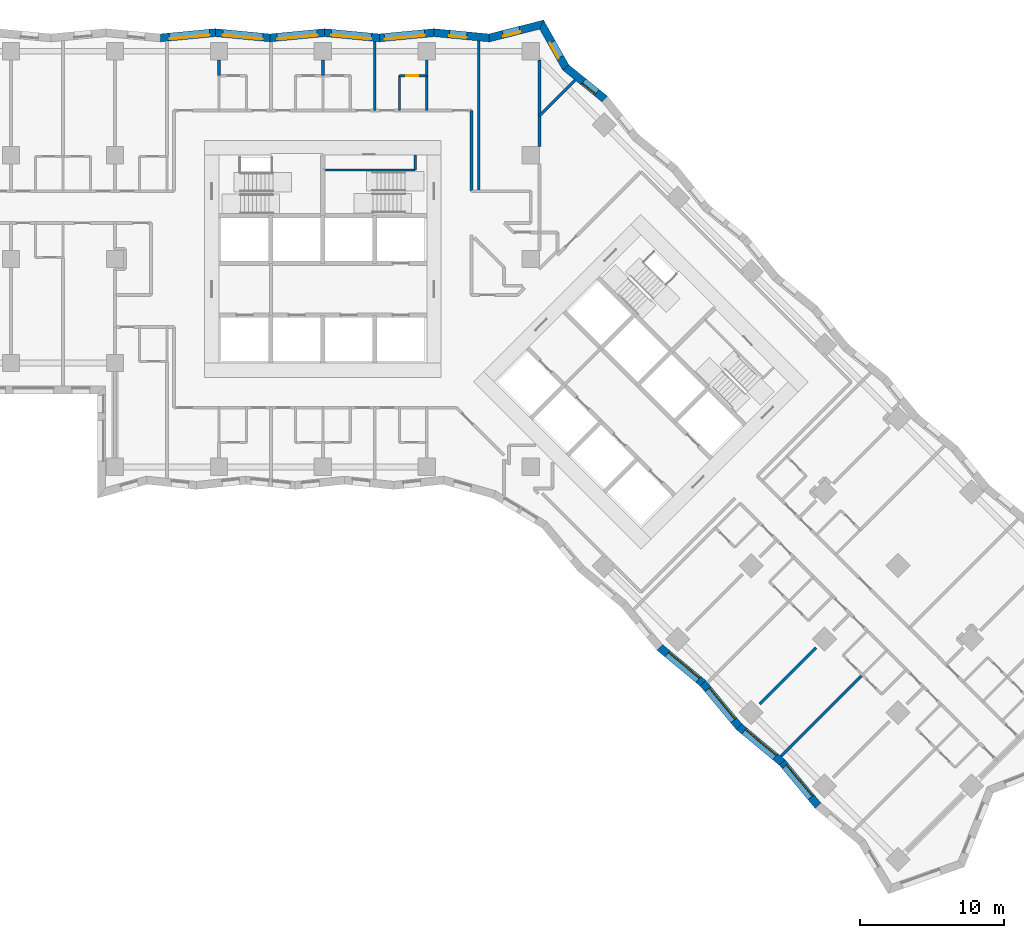
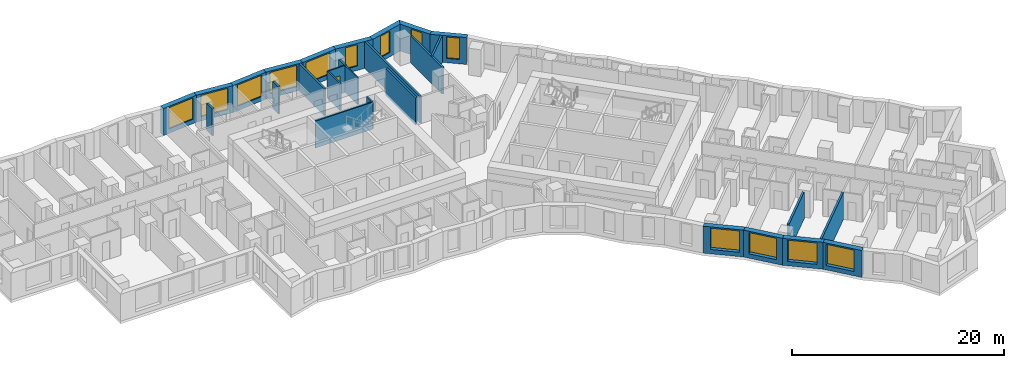
# One storey, part 7 of 13: 28 walls, 13 windows, 1 door, 14 openings.
"""IFC4 building model written with IfcOpenShell, lengths in metres."""

from ifc_helpers import new_model, si_unit, direction, frame, frame_2d, origin, place, context, subcontext, project, spatial, polyline, rectangle, outline, extrude, material, layer, layer_set, type_object, element, fill, save


model = new_model("IFC4")

# Units and contexts
model_context = context("Model", 3, precision=1e-05, world=origin(), true_north=direction((0.0, 1.0)))
body_context = subcontext(model_context, "Body", "Model", "MODEL_VIEW")
ifc_project = project(units=[si_unit("LENGTHUNIT", "METRE"), si_unit("AREAUNIT", "SQUARE_METRE"), si_unit("VOLUMEUNIT", "CUBIC_METRE"), si_unit("PLANEANGLEUNIT", "RADIAN"), si_unit("MASSUNIT", "GRAM", prefix="KILO")], contexts=[model_context])

# Site, building, storey
site_placement = place(None, origin())
site = spatial("IfcSite", under=ifc_project, at=site_placement, CompositionType="ELEMENT")
building_placement = place(site_placement, origin())
building = spatial("IfcBuilding", under=site, at=building_placement, Name="Windrow Commons", CompositionType="ELEMENT")
storey_placement = place(building_placement, frame((0.0, 0.0, 33.8)))
storey = spatial("IfcBuildingStorey", under=building, at=storey_placement, Name="L08", CompositionType="ELEMENT", Elevation=33.8)

# Wall, opening, window
ifc_material_1 = material(Name="Brick masonry, red clay brick", Category="masonry")
ifc_layer_1 = layer(ifc_material_1, 0.55)
ifc_layer_set_1 = layer_set([ifc_layer_1], Name="Brick facade wall 550")
wall_type_1 = type_object("IfcWallType", Name="Brick facade wall 550", PredefinedType="SOLIDWALL", material=ifc_layer_set_1)
wall_1_placement = place(storey_placement, frame((84.3274, 68.6891, 0.0), z_axis=(0.0, 0.0, 1.0), x_axis=(-0.7772012902, 0.6292520596, 0.0)))
wall_1 = element("IfcWall", 1, at=wall_1_placement, inside=storey, type_object=wall_type_1, Name="Brick facade wall L08 21", PredefinedType="SOLIDWALL", context=body_context, shape_type="SweptSolid", body=[
    extrude(outline(polyline([(-0.0289, -0.275), (3.4209, -0.275), (3.5261, 0.275), (0.0289, 0.275), (-0.0289, -0.275)])), origin(), (0.0, 0.0, 1.0), 3.1),
])
opening_1_placement = place(wall_1_placement, frame((0.7044, 0.0, 0.5)))
opening_1 = element("IfcOpeningElement", 2, at=opening_1_placement, cuts=wall_1, Name="Opening W7D", PredefinedType="OPENING", context=body_context, shape_type="SweptSolid", body=[
    extrude(rectangle(XDim=1.2, YDim=2.45, at=frame_2d((0.6, 1.225))), frame((0.0, 0.285, 0.0), z_axis=(0.0, -1.0, 0.0), x_axis=(1.0, 0.0, 0.0)), (0.0, 0.0, 1.0), 0.57),
])
ifc_material_2 = material(Name="Clear float glass in anodised aluminium frame", Category="aluminium")
window_type_1 = type_object("IfcWindowType", Name="Window W7 notch 1200x2450", PartitioningType="SINGLE_PANEL", PredefinedType="WINDOW", material=ifc_material_2)
window_1_placement = place(opening_1_placement, origin())
window_1 = element("IfcWindow", 3, at=window_1_placement, inside=storey, type_object=window_type_1, Name="Window L08 21.1", OverallHeight=2.45, OverallWidth=1.2, PartitioningType="SINGLE_PANEL", PredefinedType="WINDOW", context=body_context, shape_type="SweptSolid", body=[
    extrude(rectangle(XDim=1.2, YDim=2.45, at=frame_2d((0.6, 1.225))), frame((0.0, 0.155, 0.0), z_axis=(0.0, -1.0, 0.0), x_axis=(1.0, 0.0, 0.0)), (0.0, 0.0, 1.0), 0.06),
])
fill(opening_1, window_1)

wall_2_placement = place(storey_placement, frame((81.6278, 70.8748, 0.0), z_axis=(0.0, 0.0, 1.0), x_axis=(-0.4901845493, 0.871618671, 0.0)))
wall_2 = element("IfcWall", 4, at=wall_2_placement, inside=storey, type_object=wall_type_1, Name="Brick facade wall L08 22", PredefinedType="SOLIDWALL", context=body_context, shape_type="SweptSolid", body=[
    extrude(outline(polyline([(0.0526, -0.275), (3.6156, -0.275), (3.1945, 0.275), (-0.0526, 0.275), (0.0526, -0.275)])), origin(), (0.0, 0.0, 1.0), 3.1),
])
opening_2_placement = place(wall_2_placement, frame((0.8045, 0.0, 0.5)))
opening_2 = element("IfcOpeningElement", 5, at=opening_2_placement, cuts=wall_2, Name="Opening W7D", PredefinedType="OPENING", context=body_context, shape_type="SweptSolid", body=[
    extrude(rectangle(XDim=1.2, YDim=2.45, at=frame_2d((0.6, 1.225))), frame((0.0, 0.285, 0.0), z_axis=(0.0, -1.0, 0.0), x_axis=(1.0, 0.0, 0.0)), (0.0, 0.0, 1.0), 0.57),
])
window_2_placement = place(opening_2_placement, origin())
window_2 = element("IfcWindow", 6, at=window_2_placement, inside=storey, type_object=window_type_1, Name="Window L08 22.1", OverallHeight=2.45, OverallWidth=1.2, PartitioningType="SINGLE_PANEL", PredefinedType="WINDOW", context=body_context, shape_type="SweptSolid", body=[
    extrude(rectangle(XDim=1.2, YDim=2.45, at=frame_2d((0.6, 1.225))), frame((0.0, 0.155, 0.0), z_axis=(0.0, -1.0, 0.0), x_axis=(1.0, 0.0, 0.0)), (0.0, 0.0, 1.0), 0.06),
])
fill(opening_2, window_2)

wall_3_placement = place(storey_placement, frame((79.9587, 73.8427, 0.0), z_axis=(0.0, 0.0, 1.0), x_axis=(-0.9693399956, -0.2457233667, 0.0)))
wall_3 = element("IfcWall", 7, at=wall_3_placement, inside=storey, type_object=wall_type_1, Name="Brick facade wall L08 23", PredefinedType="SOLIDWALL", context=body_context, shape_type="SweptSolid", body=[
    extrude(outline(polyline([(-0.2105, -0.275), (3.7004, -0.275), (3.7957, 0.275), (0.2105, 0.275), (-0.2105, -0.275)])), origin(), (0.0, 0.0, 1.0), 3.1),
])
opening_3_placement = place(wall_3_placement, frame((1.5654, 0.0, 0.5)))
opening_3 = element("IfcOpeningElement", 8, at=opening_3_placement, cuts=wall_3, Name="Opening W7D", PredefinedType="OPENING", context=body_context, shape_type="SweptSolid", body=[
    extrude(rectangle(XDim=1.2, YDim=2.45, at=frame_2d((0.6, 1.225))), frame((0.0, 0.285, 0.0), z_axis=(0.0, -1.0, 0.0), x_axis=(1.0, 0.0, 0.0)), (0.0, 0.0, 1.0), 0.57),
])
window_3_placement = place(opening_3_placement, origin())
window_3 = element("IfcWindow", 9, at=window_3_placement, inside=storey, type_object=window_type_1, Name="Window L08 23.1", OverallHeight=2.45, OverallWidth=1.2, PartitioningType="SINGLE_PANEL", PredefinedType="WINDOW", context=body_context, shape_type="SweptSolid", body=[
    extrude(rectangle(XDim=1.2, YDim=2.45, at=frame_2d((0.6, 1.225))), frame((0.0, 0.155, 0.0), z_axis=(0.0, -1.0, 0.0), x_axis=(1.0, 0.0, 0.0)), (0.0, 0.0, 1.0), 0.06),
])
fill(opening_3, window_3)

wall_4_placement = place(storey_placement, frame((76.3255, 72.9217, 0.0), z_axis=(0.0, 0.0, 1.0), x_axis=(-0.9954951205, 0.0948127894, 0.0)))
wall_4 = element("IfcWall", 10, at=wall_4_placement, inside=storey, type_object=wall_type_1, Name="Brick facade wall L08 24", PredefinedType="SOLIDWALL", context=body_context, shape_type="SweptSolid", body=[
    extrude(outline(polyline([(0.0477, -0.275), (3.8558, -0.275), (3.8034, 0.275), (-0.0477, 0.275), (0.0477, -0.275)])), origin(), (0.0, 0.0, 1.0), 3.1),
])
opening_4_placement = place(wall_4_placement, frame((1.5661, 0.0, 0.5)))
opening_4 = element("IfcOpeningElement", 11, at=opening_4_placement, cuts=wall_4, Name="Opening W7D", PredefinedType="OPENING", context=body_context, shape_type="SweptSolid", body=[
    extrude(rectangle(XDim=1.2, YDim=2.45, at=frame_2d((0.6, 1.225))), frame((0.0, 0.285, 0.0), z_axis=(0.0, -1.0, 0.0), x_axis=(1.0, 0.0, 0.0)), (0.0, 0.0, 1.0), 0.57),
])
window_4_placement = place(opening_4_placement, origin())
window_4 = element("IfcWindow", 12, at=window_4_placement, inside=storey, type_object=window_type_1, Name="Window L08 24.1", OverallHeight=2.45, OverallWidth=1.2, PartitioningType="SINGLE_PANEL", PredefinedType="WINDOW", context=body_context, shape_type="SweptSolid", body=[
    extrude(rectangle(XDim=1.2, YDim=2.45, at=frame_2d((0.6, 1.225))), frame((0.0, 0.155, 0.0), z_axis=(0.0, -1.0, 0.0), x_axis=(1.0, 0.0, 0.0)), (0.0, 0.0, 1.0), 0.06),
])
fill(opening_4, window_4)

wall_5_placement = place(storey_placement, frame((72.5131, 73.2848, 0.0), z_axis=(0.0, 0.0, 1.0), x_axis=(-0.9954966527, -0.0947967005, 0.0)))
wall_5 = element("IfcWall", 13, at=wall_5_placement, inside=storey, type_object=wall_type_1, Name="Brick facade wall L08 25", PredefinedType="SOLIDWALL", context=body_context, shape_type="SweptSolid", body=[
    extrude(outline(polyline([(-0.0262, -0.275), (3.782, -0.275), (3.8343, 0.275), (0.0262, 0.275), (-0.0262, -0.275)])), origin(), (0.0, 0.0, 1.0), 3.1),
])
opening_5_placement = place(wall_5_placement, frame((0.6618, 0.0, 0.5)))
opening_5 = element("IfcOpeningElement", 14, at=opening_5_placement, cuts=wall_5, Name="Opening W1T", PredefinedType="OPENING", context=body_context, shape_type="SweptSolid", body=[
    extrude(rectangle(XDim=2.8, YDim=2.45, at=frame_2d((1.4, 1.225))), frame((0.0, 0.285, 0.0), z_axis=(0.0, -1.0, 0.0), x_axis=(1.0, 0.0, 0.0)), (0.0, 0.0, 1.0), 0.57),
])
ifc_material_3 = material(Name="Clear float glass in anodised aluminium frame", Category="aluminium")
window_type_2 = type_object("IfcWindowType", Name="Window W1T bedroom 2800x2450", PartitioningType="SINGLE_PANEL", PredefinedType="WINDOW", material=ifc_material_3)
window_5_placement = place(opening_5_placement, origin())
window_5 = element("IfcWindow", 15, at=window_5_placement, inside=storey, type_object=window_type_2, Name="Window L08 25.1", OverallHeight=2.45, OverallWidth=2.8, PartitioningType="SINGLE_PANEL", PredefinedType="WINDOW", context=body_context, shape_type="SweptSolid", body=[
    extrude(rectangle(XDim=2.8, YDim=2.45, at=frame_2d((1.4, 1.225))), frame((0.0, 0.155, 0.0), z_axis=(0.0, -1.0, 0.0), x_axis=(1.0, 0.0, 0.0)), (0.0, 0.0, 1.0), 0.06),
])
fill(opening_5, window_5)

wall_6_placement = place(storey_placement, frame((68.7221, 72.9238, 0.0), z_axis=(0.0, 0.0, 1.0), x_axis=(-0.9954966527, 0.0947967005, 0.0)))
wall_6 = element("IfcWall", 16, at=wall_6_placement, inside=storey, type_object=wall_type_1, Name="Brick facade wall L08 26", PredefinedType="SOLIDWALL", context=body_context, shape_type="SweptSolid", body=[
    extrude(outline(polyline([(0.0262, -0.275), (3.8343, -0.275), (3.782, 0.275), (-0.0262, 0.275), (0.0262, -0.275)])), origin(), (0.0, 0.0, 1.0), 3.1),
])
opening_6_placement = place(wall_6_placement, frame((0.5528, 0.0, 0.5)))
opening_6 = element("IfcOpeningElement", 17, at=opening_6_placement, cuts=wall_6, Name="Opening W1T", PredefinedType="OPENING", context=body_context, shape_type="SweptSolid", body=[
    extrude(rectangle(XDim=2.8, YDim=2.45, at=frame_2d((1.4, 1.225))), frame((0.0, 0.285, 0.0), z_axis=(0.0, -1.0, 0.0), x_axis=(1.0, 0.0, 0.0)), (0.0, 0.0, 1.0), 0.57),
])
window_6_placement = place(opening_6_placement, origin())
window_6 = element("IfcWindow", 18, at=window_6_placement, inside=storey, type_object=window_type_2, Name="Window L08 26.1", OverallHeight=2.45, OverallWidth=2.8, PartitioningType="SINGLE_PANEL", PredefinedType="WINDOW", context=body_context, shape_type="SweptSolid", body=[
    extrude(rectangle(XDim=2.8, YDim=2.45, at=frame_2d((1.4, 1.225))), frame((0.0, 0.155, 0.0), z_axis=(0.0, -1.0, 0.0), x_axis=(1.0, 0.0, 0.0)), (0.0, 0.0, 1.0), 0.06),
])
fill(opening_6, window_6)

wall_7_placement = place(storey_placement, frame((64.9311, 73.2848, 0.0), z_axis=(0.0, 0.0, 1.0), x_axis=(-0.9954966527, -0.0947967005, 0.0)))
wall_7 = element("IfcWall", 19, at=wall_7_placement, inside=storey, type_object=wall_type_1, Name="Brick facade wall L08 27", PredefinedType="SOLIDWALL", context=body_context, shape_type="SweptSolid", body=[
    extrude(outline(polyline([(-0.0262, -0.275), (3.782, -0.275), (3.8343, 0.275), (0.0262, 0.275), (-0.0262, -0.275)])), origin(), (0.0, 0.0, 1.0), 3.1),
])
opening_7_placement = place(wall_7_placement, frame((0.5172, 0.0, 0.5)))
opening_7 = element("IfcOpeningElement", 20, at=opening_7_placement, cuts=wall_7, Name="Opening W1T", PredefinedType="OPENING", context=body_context, shape_type="SweptSolid", body=[
    extrude(rectangle(XDim=2.8, YDim=2.45, at=frame_2d((1.4, 1.225))), frame((0.0, 0.285, 0.0), z_axis=(0.0, -1.0, 0.0), x_axis=(1.0, 0.0, 0.0)), (0.0, 0.0, 1.0), 0.57),
])
window_7_placement = place(opening_7_placement, origin())
window_7 = element("IfcWindow", 21, at=window_7_placement, inside=storey, type_object=window_type_2, Name="Window L08 27.1", OverallHeight=2.45, OverallWidth=2.8, PartitioningType="SINGLE_PANEL", PredefinedType="WINDOW", context=body_context, shape_type="SweptSolid", body=[
    extrude(rectangle(XDim=2.8, YDim=2.45, at=frame_2d((1.4, 1.225))), frame((0.0, 0.155, 0.0), z_axis=(0.0, -1.0, 0.0), x_axis=(1.0, 0.0, 0.0)), (0.0, 0.0, 1.0), 0.06),
])
fill(opening_7, window_7)

wall_8_placement = place(storey_placement, frame((61.1401, 72.9238, 0.0), z_axis=(0.0, 0.0, 1.0), x_axis=(-0.9954966527, 0.0947967005, 0.0)))
wall_8 = element("IfcWall", 22, at=wall_8_placement, inside=storey, type_object=wall_type_1, Name="Brick facade wall L08 28", PredefinedType="SOLIDWALL", context=body_context, shape_type="SweptSolid", body=[
    extrude(outline(polyline([(0.0262, -0.275), (3.8343, -0.275), (3.782, 0.275), (-0.0262, 0.275), (0.0262, -0.275)])), origin(), (0.0, 0.0, 1.0), 3.1),
])
opening_8_placement = place(wall_8_placement, frame((0.491, 0.0, 0.5)))
opening_8 = element("IfcOpeningElement", 23, at=opening_8_placement, cuts=wall_8, Name="Opening W1T", PredefinedType="OPENING", context=body_context, shape_type="SweptSolid", body=[
    extrude(rectangle(XDim=2.8, YDim=2.45, at=frame_2d((1.4, 1.225))), frame((0.0, 0.285, 0.0), z_axis=(0.0, -1.0, 0.0), x_axis=(1.0, 0.0, 0.0)), (0.0, 0.0, 1.0), 0.57),
])
window_8_placement = place(opening_8_placement, origin())
window_8 = element("IfcWindow", 24, at=window_8_placement, inside=storey, type_object=window_type_2, Name="Window L08 28.1", OverallHeight=2.45, OverallWidth=2.8, PartitioningType="SINGLE_PANEL", PredefinedType="WINDOW", context=body_context, shape_type="SweptSolid", body=[
    extrude(rectangle(XDim=2.8, YDim=2.45, at=frame_2d((1.4, 1.225))), frame((0.0, 0.155, 0.0), z_axis=(0.0, -1.0, 0.0), x_axis=(1.0, 0.0, 0.0)), (0.0, 0.0, 1.0), 0.06),
])
fill(opening_8, window_8)

wall_9_placement = place(storey_placement, frame((57.3491, 73.2848, 0.0), z_axis=(0.0, 0.0, 1.0), x_axis=(-0.9954966527, -0.0947967005, 0.0)))
wall_9 = element("IfcWall", 25, at=wall_9_placement, inside=storey, type_object=wall_type_1, Name="Brick facade wall L08 29", PredefinedType="SOLIDWALL", context=body_context, shape_type="SweptSolid", body=[
    extrude(outline(polyline([(-0.0262, -0.275), (3.782, -0.275), (3.8343, 0.275), (0.0262, 0.275), (-0.0262, -0.275)])), origin(), (0.0, 0.0, 1.0), 3.1),
])
opening_9_placement = place(wall_9_placement, frame((0.3952, 0.0, 0.5)))
opening_9 = element("IfcOpeningElement", 26, at=opening_9_placement, cuts=wall_9, Name="Opening W1T", PredefinedType="OPENING", context=body_context, shape_type="SweptSolid", body=[
    extrude(rectangle(XDim=2.8, YDim=2.45, at=frame_2d((1.4, 1.225))), frame((0.0, 0.285, 0.0), z_axis=(0.0, -1.0, 0.0), x_axis=(1.0, 0.0, 0.0)), (0.0, 0.0, 1.0), 0.57),
])
window_9_placement = place(opening_9_placement, origin())
window_9 = element("IfcWindow", 27, at=window_9_placement, inside=storey, type_object=window_type_2, Name="Window L08 29.1", OverallHeight=2.45, OverallWidth=2.8, PartitioningType="SINGLE_PANEL", PredefinedType="WINDOW", context=body_context, shape_type="SweptSolid", body=[
    extrude(rectangle(XDim=2.8, YDim=2.45, at=frame_2d((1.4, 1.225))), frame((0.0, 0.155, 0.0), z_axis=(0.0, -1.0, 0.0), x_axis=(1.0, 0.0, 0.0)), (0.0, 0.0, 1.0), 0.06),
])
fill(opening_9, window_9)

wall_10_placement = place(storey_placement, frame((88.1448, 30.6912, 0.0), z_axis=(0.0, 0.0, 1.0), x_axis=(0.7696065296, -0.6385184333, 0.0)))
wall_10 = element("IfcWall", 28, at=wall_10_placement, inside=storey, type_object=wall_type_1, Name="Brick facade wall L08 58", PredefinedType="SOLIDWALL", context=body_context, shape_type="SweptSolid", body=[
    extrude(outline(polyline([(-0.0256, -0.275), (3.8687, -0.275), (3.9199, 0.275), (0.0256, 0.275), (-0.0256, -0.275)])), origin(), (0.0, 0.0, 1.0), 3.1),
])
opening_10_placement = place(wall_10_placement, frame((0.6808, 0.0, 0.5)))
opening_10 = element("IfcOpeningElement", 29, at=opening_10_placement, cuts=wall_10, Name="Opening W1T", PredefinedType="OPENING", context=body_context, shape_type="SweptSolid", body=[
    extrude(rectangle(XDim=2.8, YDim=2.45, at=frame_2d((1.4, 1.225))), frame((0.0, 0.285, 0.0), z_axis=(0.0, -1.0, 0.0), x_axis=(1.0, 0.0, 0.0)), (0.0, 0.0, 1.0), 0.57),
])
window_10_placement = place(opening_10_placement, origin())
window_10 = element("IfcWindow", 30, at=window_10_placement, inside=storey, type_object=window_type_2, Name="Window L08 58.1", OverallHeight=2.45, OverallWidth=2.8, PartitioningType="SINGLE_PANEL", PredefinedType="WINDOW", context=body_context, shape_type="SweptSolid", body=[
    extrude(rectangle(XDim=2.8, YDim=2.45, at=frame_2d((1.4, 1.225))), frame((0.0, 0.155, 0.0), z_axis=(0.0, -1.0, 0.0), x_axis=(1.0, 0.0, 0.0)), (0.0, 0.0, 1.0), 0.06),
])
fill(opening_10, window_10)

wall_11_placement = place(storey_placement, frame((91.1419, 28.2046, 0.0), z_axis=(0.0, 0.0, 1.0), x_axis=(0.6385184333, -0.7696065296, 0.0)))
wall_11 = element("IfcWall", 31, at=wall_11_placement, inside=storey, type_object=wall_type_1, Name="Brick facade wall L08 59", PredefinedType="SOLIDWALL", context=body_context, shape_type="SweptSolid", body=[
    extrude(outline(polyline([(0.0256, -0.275), (3.9199, -0.275), (3.8687, 0.275), (-0.0256, 0.275), (0.0256, -0.275)])), origin(), (0.0, 0.0, 1.0), 3.1),
])
opening_11_placement = place(wall_11_placement, frame((0.5344, 0.0, 0.5)))
opening_11 = element("IfcOpeningElement", 32, at=opening_11_placement, cuts=wall_11, Name="Opening W1T", PredefinedType="OPENING", context=body_context, shape_type="SweptSolid", body=[
    extrude(rectangle(XDim=2.8, YDim=2.45, at=frame_2d((1.4, 1.225))), frame((0.0, 0.285, 0.0), z_axis=(0.0, -1.0, 0.0), x_axis=(1.0, 0.0, 0.0)), (0.0, 0.0, 1.0), 0.57),
])
window_11_placement = place(opening_11_placement, origin())
window_11 = element("IfcWindow", 33, at=window_11_placement, inside=storey, type_object=window_type_2, Name="Window L08 59.1", OverallHeight=2.45, OverallWidth=2.8, PartitioningType="SINGLE_PANEL", PredefinedType="WINDOW", context=body_context, shape_type="SweptSolid", body=[
    extrude(rectangle(XDim=2.8, YDim=2.45, at=frame_2d((1.4, 1.225))), frame((0.0, 0.155, 0.0), z_axis=(0.0, -1.0, 0.0), x_axis=(1.0, 0.0, 0.0)), (0.0, 0.0, 1.0), 0.06),
])
fill(opening_11, window_11)

wall_12_placement = place(storey_placement, frame((93.6285, 25.2075, 0.0), z_axis=(0.0, 0.0, 1.0), x_axis=(0.7696065296, -0.6385184333, 0.0)))
wall_12 = element("IfcWall", 34, at=wall_12_placement, inside=storey, type_object=wall_type_1, Name="Brick facade wall L08 60", PredefinedType="SOLIDWALL", context=body_context, shape_type="SweptSolid", body=[
    extrude(outline(polyline([(-0.0256, -0.275), (3.8687, -0.275), (3.9199, 0.275), (0.0256, 0.275), (-0.0256, -0.275)])), origin(), (0.0, 0.0, 1.0), 3.1),
])
opening_12_placement = place(wall_12_placement, frame((0.4755, 0.0, 0.5)))
opening_12 = element("IfcOpeningElement", 35, at=opening_12_placement, cuts=wall_12, Name="Opening W1T", PredefinedType="OPENING", context=body_context, shape_type="SweptSolid", body=[
    extrude(rectangle(XDim=2.8, YDim=2.45, at=frame_2d((1.4, 1.225))), frame((0.0, 0.285, 0.0), z_axis=(0.0, -1.0, 0.0), x_axis=(1.0, 0.0, 0.0)), (0.0, 0.0, 1.0), 0.57),
])
window_12_placement = place(opening_12_placement, origin())
window_12 = element("IfcWindow", 36, at=window_12_placement, inside=storey, type_object=window_type_2, Name="Window L08 60.1", OverallHeight=2.45, OverallWidth=2.8, PartitioningType="SINGLE_PANEL", PredefinedType="WINDOW", context=body_context, shape_type="SweptSolid", body=[
    extrude(rectangle(XDim=2.8, YDim=2.45, at=frame_2d((1.4, 1.225))), frame((0.0, 0.155, 0.0), z_axis=(0.0, -1.0, 0.0), x_axis=(1.0, 0.0, 0.0)), (0.0, 0.0, 1.0), 0.06),
])
fill(opening_12, window_12)

wall_13_placement = place(storey_placement, frame((96.6256, 22.7209, 0.0), z_axis=(0.0, 0.0, 1.0), x_axis=(0.6385032238, -0.7696191482, 0.0)))
wall_13 = element("IfcWall", 37, at=wall_13_placement, inside=storey, type_object=wall_type_1, Name="Brick facade wall L08 61", PredefinedType="SOLIDWALL", context=body_context, shape_type="SweptSolid", body=[
    extrude(outline(polyline([(0.0256, -0.275), (3.9199, -0.275), (3.8687, 0.275), (-0.0256, 0.275), (0.0256, -0.275)])), origin(), (0.0, 0.0, 1.0), 3.1),
])
opening_13_placement = place(wall_13_placement, frame((0.3233, 0.0, 0.5)))
opening_13 = element("IfcOpeningElement", 38, at=opening_13_placement, cuts=wall_13, Name="Opening W1T", PredefinedType="OPENING", context=body_context, shape_type="SweptSolid", body=[
    extrude(rectangle(XDim=2.8, YDim=2.45, at=frame_2d((1.4, 1.225))), frame((0.0, 0.285, 0.0), z_axis=(0.0, -1.0, 0.0), x_axis=(1.0, 0.0, 0.0)), (0.0, 0.0, 1.0), 0.57),
])
window_13_placement = place(opening_13_placement, origin())
window_13 = element("IfcWindow", 39, at=window_13_placement, inside=storey, type_object=window_type_2, Name="Window L08 61.1", OverallHeight=2.45, OverallWidth=2.8, PartitioningType="SINGLE_PANEL", PredefinedType="WINDOW", context=body_context, shape_type="SweptSolid", body=[
    extrude(rectangle(XDim=2.8, YDim=2.45, at=frame_2d((1.4, 1.225))), frame((0.0, 0.155, 0.0), z_axis=(0.0, -1.0, 0.0), x_axis=(1.0, 0.0, 0.0)), (0.0, 0.0, 1.0), 0.06),
])
fill(opening_13, window_13)

# Walls
ifc_material_4 = material(Name="Blockwork partition", Category="masonry")
ifc_layer_2 = layer(ifc_material_4, 0.2)
ifc_layer_set_2 = layer_set([ifc_layer_2], Name="IW-CORRIDOR-200")
wall_type_2 = type_object("IfcWallType", Name="IW-CORRIDOR-200", PredefinedType="PARTITIONING", material=ifc_layer_set_2)
wall_14_placement = place(storey_placement, frame((75.1, 62.302, 0.0), z_axis=(0.0, 0.0, 1.0), x_axis=(0.0, 1.0, 0.0)))
element("IfcWall", 40, at=wall_14_placement, inside=storey, type_object=wall_type_2, Name="W-L08-W040", PredefinedType="PARTITIONING", context=body_context, shape_type="SweptSolid", body=[
    extrude(rectangle(XDim=5.598, YDim=0.2, at=frame_2d((2.799, 0.0))), origin(), (0.0, 0.0, 1.0), 3.1),
])
ifc_material_5 = material(Name="Blockwork partition", Category="masonry")
ifc_layer_3 = layer(ifc_material_5, 0.15)
ifc_layer_set_3 = layer_set([ifc_layer_3], Name="IW-ENSUITE-150")
wall_type_3 = type_object("IfcWallType", Name="IW-ENSUITE-150", PredefinedType="PARTITIONING", material=ifc_layer_set_3)
for number, where, z_axis, x_axis, name in (
    (41, (70.1, 67.9, 0.0), (0.0, 0.0, 1.0), (0.0, 1.0, 0.0), "W-L08-W113"),
    (42, (72.0, 67.9, 0.0), (0.0, 0.0, 1.0), (0.0, 1.0, 0.0), "W-L08-W114"),
):
    element("IfcWall", number, at=place(storey_placement, frame(where, z_axis=z_axis, x_axis=x_axis)), inside=storey, type_object=wall_type_3, Name=name, PredefinedType="PARTITIONING", context=body_context, shape_type="SweptSolid", body=[
        extrude(rectangle(XDim=2.4, YDim=0.15, at=frame_2d((1.2, 0.0))), origin(), (0.0, 0.0, 1.0), 3.1),
    ])

# Wall, opening, door
wall_15_placement = place(storey_placement, frame((70.1, 70.3, 0.0), z_axis=(0.0, 0.0, 1.0), x_axis=(1.0, 0.0, 0.0)))
wall_15 = element("IfcWall", 43, at=wall_15_placement, inside=storey, type_object=wall_type_3, Name="W-L08-W144", PredefinedType="PARTITIONING", context=body_context, shape_type="SweptSolid", body=[
    extrude(rectangle(XDim=1.9, YDim=0.15, at=frame_2d((0.95, 0.0))), origin(), (0.0, 0.0, 1.0), 3.1),
])
opening_14_placement = place(wall_15_placement, frame((0.4931, 0.0, 0.0)))
opening_14 = element("IfcOpeningElement", 44, at=opening_14_placement, cuts=wall_15, Name="Opening D208N", PredefinedType="OPENING", context=body_context, shape_type="SweptSolid", body=[
    extrude(rectangle(XDim=0.8, YDim=2.1, at=frame_2d((0.4, 1.05))), frame((0.0, 0.085, 0.0), z_axis=(0.0, -1.0, 0.0), x_axis=(1.0, 0.0, 0.0)), (0.0, 0.0, 1.0), 0.17),
])
ifc_material_6 = material(Name="Timber door leaf", Category="wood")
door_type = type_object("IfcDoorType", Name="DT-ENSUITE-800", OperationType="SINGLE_SWING_LEFT", PredefinedType="DOOR", material=ifc_material_6)
door_placement = place(opening_14_placement, origin())
door = element("IfcDoor", 45, at=door_placement, inside=storey, type_object=door_type, Name="D-L08-D038", OperationType="SINGLE_SWING_RIGHT", OverallHeight=2.1, OverallWidth=0.8, PredefinedType="DOOR", context=body_context, shape_type="SweptSolid", body=[
    extrude(rectangle(XDim=0.8, YDim=2.1, at=frame_2d((0.4, 1.05))), frame((0.0, 0.025, 0.0), z_axis=(0.0, -1.0, 0.0), x_axis=(1.0, 0.0, 0.0)), (0.0, 0.0, 1.0), 0.05),
])
fill(opening_14, door)

# Walls
ifc_material_7 = material(Name="Blockwork partition", Category="masonry")
ifc_layer_4 = layer(ifc_material_7, 0.2)
ifc_layer_set_4 = layer_set([ifc_layer_4], Name="IW-PARTY-200")
wall_type_4 = type_object("IfcWallType", Name="IW-PARTY-200", PredefinedType="PARTITIONING", material=ifc_layer_set_4)
wall_16_placement = place(storey_placement, frame((75.6, 62.3, 0.0), z_axis=(0.0, 0.0, 1.0), x_axis=(0.0, 1.0, 0.0)))
element("IfcWall", 46, at=wall_16_placement, inside=storey, type_object=wall_type_4, Name="W-L08-W008", PredefinedType="PARTITIONING", context=body_context, shape_type="SweptSolid", body=[
    extrude(rectangle(XDim=10.4146, YDim=0.2, at=frame_2d((5.2073, 0.0))), origin(), (0.0, 0.0, 1.0), 3.1),
])
wall_17_placement = place(storey_placement, frame((96.5361, 23.1525, 0.0), z_axis=(0.0, 0.0, 1.0), x_axis=(0.7071067812, 0.7071067812, 0.0)))
element("IfcWall", 47, at=wall_17_placement, inside=storey, type_object=wall_type_4, Name="W-L08-W021", PredefinedType="PARTITIONING", context=body_context, shape_type="SweptSolid", body=[
    extrude(rectangle(XDim=7.9828, YDim=0.2, at=frame_2d((3.9914, 0.0))), origin(), (0.0, 0.0, 1.0), 3.1),
])
wall_18_placement = place(storey_placement, frame((79.8, 65.4, 0.0), z_axis=(0.0, 0.0, 1.0), x_axis=(0.0, 1.0, 0.0)))
element("IfcWall", 48, at=wall_18_placement, inside=storey, type_object=wall_type_4, Name="W-L08-W035", PredefinedType="PARTITIONING", context=body_context, shape_type="SweptSolid", body=[
    extrude(rectangle(XDim=6.0, YDim=0.2, at=frame_2d((3.0, 0.0))), origin(), (0.0, 0.0, 1.0), 3.1),
])
wall_19_placement = place(storey_placement, frame((95.0732, 26.7808, 0.0), z_axis=(0.0, 0.0, 1.0), x_axis=(0.7071067812, 0.7071067812, 0.0)))
element("IfcWall", 49, at=wall_19_placement, inside=storey, type_object=wall_type_4, Name="W-L08-W046", PredefinedType="PARTITIONING", context=body_context, shape_type="SweptSolid", body=[
    extrude(rectangle(XDim=5.5013, YDim=0.2, at=frame_2d((2.7506, 0.0))), origin(), (0.0, 0.0, 1.0), 3.1),
])
wall_20_placement = place(storey_placement, frame((68.4, 67.9, 0.0), z_axis=(0.0, 0.0, 1.0), x_axis=(0.0, 1.0, 0.0)))
element("IfcWall", 50, at=wall_20_placement, inside=storey, type_object=wall_type_4, Name="W-L08-W053", PredefinedType="PARTITIONING", context=body_context, shape_type="SweptSolid", body=[
    extrude(rectangle(XDim=4.7782, YDim=0.2, at=frame_2d((2.3891, 0.0))), origin(), (0.0, 0.0, 1.0), 3.1),
])
wall_21_placement = place(storey_placement, frame((79.7988, 67.5092, 0.0), z_axis=(0.0, 0.0, 1.0), x_axis=(0.7070925395, 0.7071210226, 0.0)))
element("IfcWall", 51, at=wall_21_placement, inside=storey, type_object=wall_type_4, Name="W-L08-W066", PredefinedType="PARTITIONING", context=body_context, shape_type="SweptSolid", body=[
    extrude(rectangle(XDim=3.5109, YDim=0.2, at=frame_2d((1.7554, 0.0))), origin(), (0.0, 0.0, 1.0), 3.1),
])
for number, where, z_axis, x_axis, name in (
    (52, (57.6, 70.3, 0.0), (0.0, 0.0, 1.0), (0.0, 1.0, 0.0), "W-L08-W181"),
    (53, (64.8, 70.3, 0.0), (0.0, 0.0, 1.0), (0.0, 1.0, 0.0), "W-L08-W182"),
    (54, (72.0, 70.3, 0.0), (0.0, 0.0, 1.0), (0.0, 1.0, 0.0), "W-L08-W183"),
):
    element("IfcWall", number, at=place(storey_placement, frame(where, z_axis=z_axis, x_axis=x_axis)), inside=storey, type_object=wall_type_4, Name=name, PredefinedType="PARTITIONING", context=body_context, shape_type="SweptSolid", body=[
        extrude(rectangle(XDim=1.1, YDim=0.2, at=frame_2d((0.55, 0.0))), origin(), (0.0, 0.0, 1.0), 3.1),
    ])
ifc_material_8 = material(Name="Blockwork partition", Category="masonry")
ifc_layer_5 = layer(ifc_material_8, 0.15)
ifc_layer_set_5 = layer_set([ifc_layer_5], Name="Riser partition 150")
wall_type_5 = type_object("IfcWallType", Name="Riser partition 150", PredefinedType="PARTITIONING", material=ifc_layer_set_5)
wall_22_placement = place(storey_placement, frame((64.95, 63.78, 0.0), z_axis=(0.0, 0.0, 1.0), x_axis=(1.0, 0.0, 0.0)))
element("IfcWall", 55, at=wall_22_placement, inside=storey, type_object=wall_type_5, Name="W-core-strip-A-L08", PredefinedType="PARTITIONING", context=body_context, shape_type="SweptSolid", body=[
    extrude(rectangle(XDim=6.25, YDim=0.15, at=frame_2d((3.125, 0.0))), origin(), (0.0, 0.0, 1.0), 3.1),
])
wall_23_placement = place(storey_placement, frame((71.2, 63.78, 0.0), z_axis=(0.0, 0.0, 1.0), x_axis=(0.0, 1.0, 0.0)))
element("IfcWall", 56, at=wall_23_placement, inside=storey, type_object=wall_type_5, Name="W-core-stripx-A-L08-1", PredefinedType="PARTITIONING", context=body_context, shape_type="SweptSolid", body=[
    extrude(rectangle(XDim=1.02, YDim=0.15, at=frame_2d((0.51, 0.0))), origin(), (0.0, 0.0, 1.0), 3.1),
])

save(model, "model.ifc")
